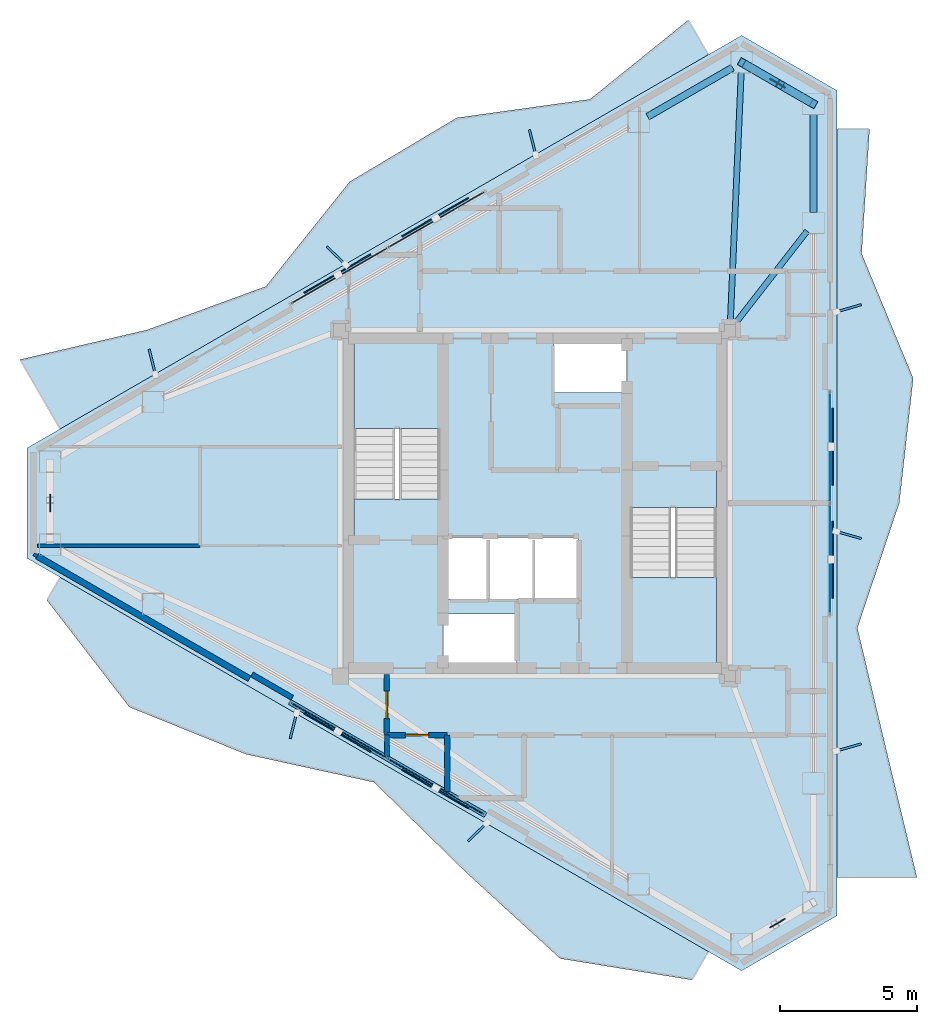
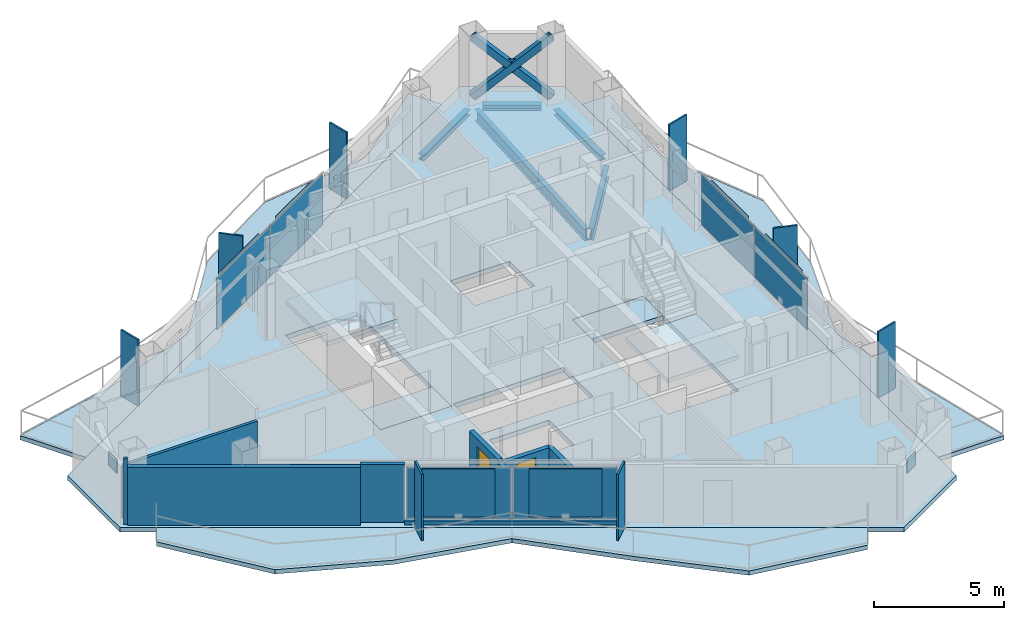
# One storey, part 13 of 18: 23 plates, 9 walls, 8 slabs, 5 beams, 3 members, 2 doors, 2 openings, 5 elements without a shape of their own.
"""IFC4 building model written with IfcOpenShell, lengths in metres."""

from ifc_helpers import new_model, si_unit, direction, frame, frame_2d, origin, origin_2d, place, context, subcontext, project, spatial, polyline, rectangle, hollow_rectangle, i_section, outline, extrude, material, layer, layer_set, material_profile, profile_set, type_object, element, fill, aggregate, save


model = new_model("IFC4")

# Units and contexts
model_context = context("Model", 3, precision=1e-05, world=origin(), true_north=direction((0.0, 1.0)))
body_context = subcontext(model_context, "Body", "Model", "MODEL_VIEW")
ifc_project = project(units=[si_unit("LENGTHUNIT", "METRE"), si_unit("AREAUNIT", "SQUARE_METRE"), si_unit("VOLUMEUNIT", "CUBIC_METRE"), si_unit("PLANEANGLEUNIT", "RADIAN"), si_unit("MASSUNIT", "GRAM", prefix="KILO")], contexts=[model_context])

# Site, building, storey
site_placement = place(None, origin())
site = spatial("IfcSite", under=ifc_project, at=site_placement, CompositionType="ELEMENT")
building_placement = place(site_placement, origin())
building = spatial("IfcBuilding", under=site, at=building_placement, Name="Mersakhor Tower and Convention Hall", CompositionType="ELEMENT")
storey_placement = place(building_placement, frame((0.0, 0.0, 236.39990234375)))
storey = spatial("IfcBuildingStorey", under=building, at=storey_placement, Name="L66", CompositionType="ELEMENT", Elevation=236.39990234375)

# Beams
ifc_material_1 = material(Name="Steel S355", Category="steel")
ifc_material_profile_1 = material_profile(ifc_material_1, i_section(OverallWidth=0.2099609375, OverallDepth=0.53662109375, WebThickness=0.0107421875, FlangeThickness=0.017333984375, at=origin_2d()), Name="UB 533x210x101")
ifc_profile_set_1 = profile_set([ifc_material_profile_1], Name="Steel S355")
beam_type_1 = type_object("IfcBeamType", Name="BM-FB-533", PredefinedType="BEAM", material=ifc_profile_set_1)
beam_1_placement = place(storey_placement, frame((36.1123046875, 33.32958984375, -0.48828125), z_axis=(0.043540774519, 0.999051650794, 0.0), x_axis=(-0.999051650794, 0.043540774519, 0.0)))
element("IfcBeam", 1, at=beam_1_placement, inside=storey, type_object=beam_type_1, Name="L66 Primary Floor Girder FG-2", PredefinedType="BEAM", context=body_context, shape_type="SweptSolid", body=[
    extrude(i_section(OverallWidth=0.2099609375, OverallDepth=0.53662109375, WebThickness=0.0107421875, FlangeThickness=0.017333984375, at=origin_2d()), origin(), (0.0, 0.0, 1.0), 9.10595703125),
])
beam_2_placement = place(storey_placement, frame((36.27197265625, 33.27099609375, -0.48828125), z_axis=(0.614066533088, 0.789254263809, 0.0), x_axis=(-0.789254263809, 0.614066533088, 0.0)))
element("IfcBeam", 2, at=beam_2_placement, inside=storey, type_object=beam_type_1, Name="L66 Primary Floor Girder FG-3", PredefinedType="BEAM", context=body_context, shape_type="SweptSolid", body=[
    extrude(i_section(OverallWidth=0.2099609375, OverallDepth=0.53662109375, WebThickness=0.0107421875, FlangeThickness=0.017333984375, at=origin_2d()), origin(), (0.0, 0.0, 1.0), 4.295166015625),
])
ifc_material_2 = material(Name="Steel S355", Category="steel")
ifc_material_profile_2 = material_profile(ifc_material_2, i_section(OverallWidth=0.25634765625, OverallDepth=0.26025390625, WebThickness=0.01025390625, FlangeThickness=0.017333984375, at=origin_2d()), Name="UC 254x254x89")
ifc_profile_set_2 = profile_set([ifc_material_profile_2], Name="Steel S355")
beam_type_2 = type_object("IfcBeamType", Name="BM-SPD-UC254", PredefinedType="SPANDREL", material=ifc_profile_set_2)
beam_3_placement = place(storey_placement, frame((33.1005859375, 40.829345703125, -0.35009765625), z_axis=(0.866002454009, 0.500039748071, 0.0), x_axis=(-0.500039748071, 0.866002454009, 0.0)))
element("IfcBeam", 3, at=beam_3_placement, inside=storey, type_object=beam_type_2, Name="L66 Perimeter Spandrel Beam SPB-03", PredefinedType="SPANDREL", context=body_context, shape_type="SweptSolid", body=[
    extrude(i_section(OverallWidth=0.25634765625, OverallDepth=0.26025390625, WebThickness=0.01025390625, FlangeThickness=0.017333984375, at=origin_2d()), origin(), (0.0, 0.0, 1.0), 3.574462890625),
])
beam_4_placement = place(storey_placement, frame((36.854248046875, 42.61669921875, -0.35009765625), z_axis=(0.866016678684, -0.500015112013, 0.0), x_axis=(0.500015112013, 0.866016678684, 0.0)))
element("IfcBeam", 4, at=beam_4_placement, inside=storey, type_object=beam_type_2, Name="L66 Perimeter Spandrel Beam SPB-04", PredefinedType="SPANDREL", context=body_context, shape_type="SweptSolid", body=[
    extrude(i_section(OverallWidth=0.25634765625, OverallDepth=0.26025390625, WebThickness=0.01025390625, FlangeThickness=0.017333984375, at=origin_2d()), origin(), (0.0, 0.0, 1.0), 2.2626953125),
])
beam_5_placement = place(storey_placement, frame((39.142822265625, 40.915283203125, -0.35009765625), z_axis=(0.0, -1.0, 0.0), x_axis=(1.0, 0.0, 0.0)))
element("IfcBeam", 5, at=beam_5_placement, inside=storey, type_object=beam_type_2, Name="L66 Perimeter Spandrel Beam SPB-05", PredefinedType="SPANDREL", context=body_context, shape_type="SweptSolid", body=[
    extrude(i_section(OverallWidth=0.25634765625, OverallDepth=0.26025390625, WebThickness=0.01025390625, FlangeThickness=0.017333984375, at=origin_2d()), origin(), (0.0, 0.0, 1.0), 3.574462890625),
])

# Members
ifc_material_3 = material(Name="Steel S355", Category="steel")
ifc_material_profile_3 = material_profile(ifc_material_3, hollow_rectangle(XDim=0.300048828125, YDim=0.300048828125, WallThickness=0.01611328125, at=origin_2d()), Name="SHS 300x300x16")
ifc_profile_set_3 = profile_set([ifc_material_profile_3], Name="Steel S355")
member_type = type_object("IfcMemberType", Name="MB-BRC-SHS300", PredefinedType="BRACE", material=ifc_profile_set_3)
member_placement = place(storey_placement, frame((36.525146484375, 42.806640625, 0.150146484375), z_axis=(0.637423019708, -0.367995569109, 0.676957277132), x_axis=(0.499978822259, 0.866037630414, 0.0)))
element("IfcMember", 6, at=member_placement, inside=storey, type_object=member_type, Name="L66 Chamfer Braced Frame Diagonal CB-1A", PredefinedType="BRACE", context=body_context, shape_type="SweptSolid", body=[
    extrude(hollow_rectangle(XDim=0.300048828125, YDim=0.300048828125, WallThickness=0.01611328125, at=origin_2d()), origin(), (0.0, 0.0, 1.0), 4.106689453125),
])
for number, where, z_axis, x_axis, name in (
    (7, (39.142822265625, 41.29541015625, 0.150146484375), (-0.6374128848, 0.367990943802, 0.676969334291), (-0.499980071345, -0.866036909293, 0.0), "L66 Chamfer Braced Frame Diagonal CB-1B Lower Half"),
    (8, (37.73291015625, 42.109375, 1.6474609375), (-0.6374128848, 0.367990943802, 0.676969334291), (-0.499980071345, -0.866036909293, 0.0), "L66 Chamfer Braced Frame Diagonal CB-1B Upper Half"),
):
    element("IfcMember", number, at=place(storey_placement, frame(where, z_axis=z_axis, x_axis=x_axis)), inside=storey, type_object=member_type, Name=name, PredefinedType="BRACE", context=body_context, shape_type="SweptSolid", body=[
        extrude(hollow_rectangle(XDim=0.300048828125, YDim=0.300048828125, WallThickness=0.01611328125, at=origin_2d()), origin(), (0.0, 0.0, 1.0), 1.894775390625),
    ])

# Curtain wall, plates
ifc_material_4 = material(Name="Dark solar low-E aluminium curtain wall", Category="aluminium")
ifc_layer_1 = layer(ifc_material_4, 0.179931640625)
ifc_layer_set_1 = layer_set([ifc_layer_1], Name="Dark solar low-E aluminium curtain wall")
curtain_wall_type = type_object("IfcCurtainWallType", Name="CW-SYS-03", PredefinedType="USERDEFINED", material=ifc_layer_set_1)
curtain_wall_1_placement = place(storey_placement, origin())
curtain_wall_1 = element("IfcCurtainWall", 9, at=curtain_wall_1_placement, inside=storey, type_object=curtain_wall_type, Name="L66 Dark-Glass Curtain Wall F1-B2", ObjectType="CURTAIN WALL", PredefinedType="USERDEFINED")
ifc_material_5 = material(Name="Dark solar double glazing", Category="glass")
ifc_layer_2 = layer(ifc_material_5, 0.031982421875)
ifc_layer_set_2 = layer_set([ifc_layer_2], Name="Dark solar double glazing")
plate_type_1 = type_object("IfcPlateType", Name="CWP-GLZ-32", PredefinedType="CURTAIN_PANEL", material=ifc_layer_set_2)
plate_1_placement = place(storey_placement, frame((21.863525390625, 35.034423828125, 0.26025390625), z_axis=(0.0, 0.0, 1.0), x_axis=(0.86602285698, 0.500004411169, 0.0)))
plate_1 = element("IfcPlate", 10, at=plate_1_placement, type_object=plate_type_1, Name="CW-03 panel 1.1", PredefinedType="CURTAIN_PANEL", context=body_context, shape_type="SweptSolid", body=[
    extrude(rectangle(XDim=4.00146484375, YDim=0.031982421875, at=origin_2d()), origin(), (0.0, 0.0, 1.0), 2.3798828125),
])
plate_2_placement = place(storey_placement, frame((25.393798828125, 37.07275390625, 0.26025390625), z_axis=(0.0, 0.0, 1.0), x_axis=(0.86602285698, 0.500004411169, 0.0)))
plate_2 = element("IfcPlate", 11, at=plate_2_placement, type_object=plate_type_1, Name="CW-03 panel 2.1", PredefinedType="CURTAIN_PANEL", context=body_context, shape_type="SweptSolid", body=[
    extrude(rectangle(XDim=4.00146484375, YDim=0.031982421875, at=origin_2d()), origin(), (0.0, 0.0, 1.0), 2.3798828125),
])
aggregate(curtain_wall_1, [plate_1, plate_2])

curtain_wall_2_placement = place(storey_placement, origin())
curtain_wall_2 = element("IfcCurtainWall", 12, at=curtain_wall_2_placement, inside=storey, type_object=curtain_wall_type, Name="L66 Dark-Glass Curtain Wall F2-B2", ObjectType="CURTAIN WALL", PredefinedType="USERDEFINED")
plate_3_placement = place(storey_placement, frame((39.742919921875, 28.7880859375, 0.26025390625), z_axis=(0.0, 0.0, 1.0), x_axis=(0.0, -1.0, 0.0)))
plate_3 = element("IfcPlate", 13, at=plate_3_placement, type_object=plate_type_1, Name="CW-03 panel 1.1", PredefinedType="CURTAIN_PANEL", context=body_context, shape_type="SweptSolid", body=[
    extrude(rectangle(XDim=4.00146484375, YDim=0.031982421875, at=origin_2d()), origin(), (0.0, 0.0, 1.0), 2.3798828125),
])
plate_4_placement = place(storey_placement, frame((39.742919921875, 24.7119140625, 0.26025390625), z_axis=(0.0, 0.0, 1.0), x_axis=(0.0, -1.0, 0.0)))
plate_4 = element("IfcPlate", 14, at=plate_4_placement, type_object=plate_type_1, Name="CW-03 panel 2.1", PredefinedType="CURTAIN_PANEL", context=body_context, shape_type="SweptSolid", body=[
    extrude(rectangle(XDim=4.00146484375, YDim=0.031982421875, at=origin_2d()), origin(), (0.0, 0.0, 1.0), 2.3798828125),
])
aggregate(curtain_wall_2, [plate_3, plate_4])

curtain_wall_3_placement = place(storey_placement, origin())
curtain_wall_3 = element("IfcCurtainWall", 15, at=curtain_wall_3_placement, inside=storey, type_object=curtain_wall_type, Name="L66 Dark-Glass Curtain Wall F3-B2", ObjectType="CURTAIN WALL", PredefinedType="USERDEFINED")
plate_5_placement = place(storey_placement, frame((25.393798828125, 16.42724609375, 0.26025390625), z_axis=(0.0, 0.0, 1.0), x_axis=(-0.86602285698, 0.500004411169, 0.0)))
plate_5 = element("IfcPlate", 16, at=plate_5_placement, type_object=plate_type_1, Name="CW-03 panel 1.1", PredefinedType="CURTAIN_PANEL", context=body_context, shape_type="SweptSolid", body=[
    extrude(rectangle(XDim=4.00146484375, YDim=0.031982421875, at=origin_2d()), origin(), (0.0, 0.0, 1.0), 2.3798828125),
])
plate_6_placement = place(storey_placement, frame((21.863525390625, 18.465576171875, 0.26025390625), z_axis=(0.0, 0.0, 1.0), x_axis=(-0.86602285698, 0.500004411169, 0.0)))
plate_6 = element("IfcPlate", 17, at=plate_6_placement, type_object=plate_type_1, Name="CW-03 panel 2.1", PredefinedType="CURTAIN_PANEL", context=body_context, shape_type="SweptSolid", body=[
    extrude(rectangle(XDim=4.00146484375, YDim=0.031982421875, at=origin_2d()), origin(), (0.0, 0.0, 1.0), 2.3798828125),
])
aggregate(curtain_wall_3, [plate_5, plate_6])

# Plates
ifc_material_6 = material(Name="Ceramic-clad aluminium Zone 5 ultramarine", Category="aluminium")
ifc_material_7 = material(Name="Ceramic-clad aluminium Zone 1 cobalt-slate", Category="masonry")
ifc_layer_3 = layer(ifc_material_7, 0.080078125)
ifc_layer_set_3 = layer_set([ifc_layer_3], Name="Ceramic-clad aluminium Zone 1 cobalt-slate")
plate_type_2 = type_object("IfcPlateType", Name="PL-FIN-80", PredefinedType="USERDEFINED", material=ifc_layer_set_3)
for number, where, z_axis, x_axis, name in (
    (18, (15.0537109375, 31.8955078125, 0.0), (0.0, 0.0, 1.0), (-0.2419218956, 0.970295726276, 0.0), "L66 Zone 5 Coloured Brise-Soleil Fin F1-1"),
    (19, (21.7548828125, 35.7646484375, 0.0), (0.0, 0.0, 1.0), (-0.719339800339, 0.694658370459, 0.0), "L66 Zone 5 Coloured Brise-Soleil Fin F1-2"),
    (20, (28.909912109375, 39.8955078125, 0.0), (0.0, 0.0, 1.0), (-0.2419218956, 0.970295726276, 0.0), "L66 Zone 5 Coloured Brise-Soleil Fin F1-3"),
    (21, (40.429443359375, 33.850341796875, 0.0), (0.0, 0.0, 1.0), (0.961261695938, 0.275637355817, 0.0), "L66 Zone 5 Coloured Brise-Soleil Fin F2-1"),
    (22, (40.429443359375, 25.58837890625, 0.0), (0.0, 0.0, 1.0), (0.961261695938, -0.275637355817, 0.0), "L66 Zone 5 Coloured Brise-Soleil Fin F2-2"),
    (23, (40.429443359375, 17.850341796875, 0.0), (0.0, 0.0, 1.0), (0.961261695938, 0.275637355817, 0.0), "L66 Zone 5 Coloured Brise-Soleil Fin F2-3"),
    (24, (26.898193359375, 14.765869140625, 0.0), (0.0, 0.0, 1.0), (-0.719339800339, -0.694658370459, 0.0), "L66 Zone 5 Coloured Brise-Soleil Fin F3-1"),
    (25, (20.19677734375, 18.635009765625, 0.0), (0.0, 0.0, 1.0), (-0.2419218956, -0.970295726276, 0.0), "L66 Zone 5 Coloured Brise-Soleil Fin F3-2"),
):
    element("IfcPlate", number, at=place(storey_placement, frame(where, z_axis=z_axis, x_axis=x_axis)), inside=storey, type_object=plate_type_2, material=ifc_material_6, Name=name, ObjectType="FIN", PredefinedType="USERDEFINED", context=body_context, shape_type="SweptSolid", body=[
        extrude(rectangle(XDim=0.949951171875, YDim=0.080078125, at=origin_2d()), origin(), (0.0, 0.0, 1.0), 3.10009765625),
    ])
ifc_material_8 = material(Name="Steel S460", Category="steel")
ifc_layer_4 = layer(ifc_material_8, 0.0400390625)
ifc_layer_set_4 = layer_set([ifc_layer_4], Name="Steel S460")
plate_type_3 = type_object("IfcPlateType", Name="PL-GUSSET-40", PredefinedType="SHEET", material=ifc_layer_set_4)
for number, where, z_axis, x_axis, name in (
    (26, (37.833984375, 42.051025390625, 1.22021484375), (0.0, 0.0, 1.0), (-0.866025403784, 0.5, 0.0), "L66 X-Brace Crossing Gusset Node Plate"),
    (27, (37.833984375, 11.448974609375, 1.22021484375), (0.0, 0.0, 1.0), (0.866025403784, 0.5, 0.0), "L66 X-Brace Crossing Gusset Node Plate"),
    (28, (11.33203125, 26.75, 1.22021484375), (0.0, 0.0, 1.0), (0.0, -1.0, 0.0), "L66 X-Brace Crossing Gusset Node Plate"),
):
    element("IfcPlate", number, at=place(storey_placement, frame(where, z_axis=z_axis, x_axis=x_axis)), inside=storey, type_object=plate_type_3, Name=name, PredefinedType="SHEET", context=body_context, shape_type="SweptSolid", body=[
        extrude(rectangle(XDim=0.639892578125, YDim=0.0400390625, at=origin_2d()), origin(), (0.0, 0.0, 1.0), 0.639892578125),
    ])
ifc_material_9 = material(Name="Perforated ceramic cobogo solar screen", Category="aluminium")
ifc_layer_5 = layer(ifc_material_9, 0.048095703125)
ifc_layer_set_5 = layer_set([ifc_layer_5], Name="Perforated ceramic cobogo solar screen")
plate_type_4 = type_object("IfcPlateType", Name="PL-SCR-48", PredefinedType="USERDEFINED", material=ifc_layer_set_5)
for number, where, z_axis, x_axis, name in (
    (29, (21.80029296875, 35.1064453125, 0.400146484375), (0.0, 0.0, 1.0), (0.866025403784, 0.5, 0.0), "L66 Perforated Ceramic Solar Screen F1-1"),
    (30, (25.363037109375, 37.163330078125, 0.400146484375), (0.0, 0.0, 1.0), (0.866025403784, 0.5, 0.0), "L66 Perforated Ceramic Solar Screen F1-2"),
    (31, (39.8369140625, 28.806884765625, 0.400146484375), (0.0, 0.0, 1.0), (0.0, -1.0, 0.0), "L66 Perforated Ceramic Solar Screen F2-1"),
    (32, (39.8369140625, 24.693115234375, 0.400146484375), (0.0, 0.0, 1.0), (0.0, -1.0, 0.0), "L66 Perforated Ceramic Solar Screen F2-2"),
    (33, (25.36279296875, 16.336669921875, 0.400146484375), (0.0, 0.0, 1.0), (-0.866025403784, 0.5, 0.0), "L66 Perforated Ceramic Solar Screen F3-1"),
    (34, (21.80029296875, 18.3935546875, 0.400146484375), (0.0, 0.0, 1.0), (-0.866025403784, 0.5, 0.0), "L66 Perforated Ceramic Solar Screen F3-2"),
):
    element("IfcPlate", number, at=place(storey_placement, frame(where, z_axis=z_axis, x_axis=x_axis)), inside=storey, type_object=plate_type_4, Name=name, ObjectType="SCREEN", PredefinedType="USERDEFINED", context=body_context, shape_type="SweptSolid", body=[
        extrude(rectangle(XDim=2.800048828125, YDim=0.048095703125, at=origin_2d()), origin(), (0.0, 0.0, 1.0), 2.25),
    ])

# Slabs
ifc_material_10 = material(Name="Concrete C45/55", Category="concrete")
ifc_layer_6 = layer(ifc_material_10, 0.199951171875)
ifc_layer_set_6 = layer_set([ifc_layer_6], Name="Concrete C45/55")
slab_type_1 = type_object("IfcSlabType", Name="SL-BAL-200", PredefinedType="FLOOR", material=ifc_layer_set_6)
slab_1_placement = place(storey_placement, frame((0.0, 0.0, -0.199951171875)))
element("IfcSlab", 35, at=slab_1_placement, inside=storey, type_object=slab_type_1, Name="L66 Sinusoidal Balcony Slab Face 1", PredefinedType="FLOOR", context=body_context, shape_type="SweptSolid", body=[
    extrude(outline(polyline([(11.6943359375, 29.451904296875), (35.312744140625, 43.088134765625), (34.58349609375, 44.3515625), (31.00146484375, 41.46484375), (26.143798828125, 40.787841796875), (22.2412109375, 38.456787109375), (19.192138671875, 34.64697265625), (14.859375, 33.060791015625), (10.234375, 31.980712890625), (11.6943359375, 29.451904296875)])), origin(), (0.0, 0.0, 1.0), 0.199951171875),
])
slab_2_placement = place(storey_placement, frame((0.0, 0.0, -0.199951171875)))
element("IfcSlab", 36, at=slab_2_placement, inside=storey, type_object=slab_type_1, Name="L66 Sinusoidal Balcony Slab Face 2", PredefinedType="FLOOR", context=body_context, shape_type="SweptSolid", body=[
    extrude(outline(polyline([(39.992919921875, 40.385986328125), (39.992919921875, 13.114013671875), (42.912841796875, 13.114013671875), (41.8212890625, 17.6591796875), (40.742919921875, 22.20458984375), (42.269287109375, 26.75), (42.7783203125, 31.29541015625), (40.8974609375, 35.8408203125), (41.187744140625, 40.385986328125), (39.992919921875, 40.385986328125)])), origin(), (0.0, 0.0, 1.0), 0.199951171875),
])
slab_3_placement = place(storey_placement, frame((0.0, 0.0, -0.199951171875)))
element("IfcSlab", 37, at=slab_3_placement, inside=storey, type_object=slab_type_1, Name="L66 Sinusoidal Balcony Slab Face 3", PredefinedType="FLOOR", context=body_context, shape_type="SweptSolid", body=[
    extrude(outline(polyline([(35.312744140625, 10.411865234375), (11.6943359375, 24.048095703125), (11.2119140625, 23.212158203125), (14.214111328125, 19.321533203125), (18.469482421875, 17.601318359375), (23.128662109375, 16.580322265625), (26.482421875, 13.298583984375), (29.91650390625, 10.15576171875), (34.71533203125, 9.376953125), (35.312744140625, 10.411865234375)])), origin(), (0.0, 0.0, 1.0), 0.199951171875),
])
ifc_material_11 = material(Name="Concrete C40/50", Category="concrete")
ifc_layer_7 = layer(ifc_material_11, 0.219970703125)
ifc_layer_set_7 = layer_set([ifc_layer_7], Name="Concrete C40/50")
slab_type_2 = type_object("IfcSlabType", Name="SL-FLR-220", PredefinedType="FLOOR", material=ifc_layer_set_7)
slab_4_placement = place(storey_placement, frame((0.0, 0.0, -0.219970703125)))
element("IfcSlab", 38, at=slab_4_placement, inside=storey, type_object=slab_type_2, Name="L66 ST-1 Structural Stair Floor Landing", PredefinedType="LANDING", context=body_context, shape_type="SweptSolid", body=[
    extrude(outline(polyline([(25.550048828125, 25.39990234375), (25.550048828125, 26.89990234375), (22.39990234375, 26.89990234375), (22.39990234375, 25.39990234375), (25.550048828125, 25.39990234375)])), origin(), (0.0, 0.0, 1.0), 0.219970703125),
])
slab_5_placement = place(storey_placement, frame((0.0, 0.0, -0.219970703125)))
element("IfcSlab", 39, at=slab_5_placement, inside=storey, type_object=slab_type_2, Name="L66 ST-2 Structural Stair Floor Landing", PredefinedType="LANDING", context=body_context, shape_type="SweptSolid", body=[
    extrude(outline(polyline([(32.449951171875, 28.10009765625), (32.449951171875, 26.60009765625), (35.60009765625, 26.60009765625), (35.60009765625, 28.10009765625), (32.449951171875, 28.10009765625)])), origin(), (0.0, 0.0, 1.0), 0.219970703125),
])
slab_6_placement = place(storey_placement, frame((0.0, 0.0, -0.219970703125)))
element("IfcSlab", 40, at=slab_6_placement, inside=storey, type_object=slab_type_2, Name="Tower L66 Structural Floor Slab", PredefinedType="FLOOR", context=body_context, shape_type="SweptSolid", body=[
    extrude(outline(polyline([(10.48193359375, 28.751953125), (36.525146484375, 43.7880859375), (39.992919921875, 41.7861328125), (39.992919921875, 11.7138671875), (36.525146484375, 9.7119140625), (10.48193359375, 24.748046875), (10.48193359375, 28.751953125)]), holes=[polyline([(25.550048828125, 25.39990234375), (25.550048828125, 32.699951171875), (22.39990234375, 32.699951171875), (22.39990234375, 25.39990234375), (25.550048828125, 25.39990234375)]), polyline([(32.449951171875, 28.10009765625), (32.449951171875, 20.800048828125), (35.60009765625, 20.800048828125), (35.60009765625, 28.10009765625), (32.449951171875, 28.10009765625)]), polyline([(25.679931640625, 20.820068359375), (25.679931640625, 22.719970703125), (28.320068359375, 22.719970703125), (28.320068359375, 20.820068359375), (25.679931640625, 20.820068359375)]), polyline([(29.679931640625, 30.780029296875), (29.679931640625, 32.679931640625), (32.320068359375, 32.679931640625), (32.320068359375, 30.780029296875), (29.679931640625, 30.780029296875)]), polyline([(25.679931640625, 23.25), (25.679931640625, 25.5), (30.570068359375, 25.5), (30.570068359375, 23.25), (25.679931640625, 23.25)])]), origin(), (0.0, 0.0, 1.0), 0.219970703125),
])

# Stair, slab
ifc_material_12 = material(Name="Concrete C45/55", Category="concrete")
stair_type = type_object("IfcStairType", Name="ST-TWR-20R", PredefinedType="HALF_TURN_STAIR", material=ifc_material_12)
stair_1_placement = place(storey_placement, origin())
stair_1 = element("IfcStair", 41, at=stair_1_placement, inside=storey, type_object=stair_type, Name="L66 Tower Protected Exit Stair ST-1", PredefinedType="HALF_TURN_STAIR")
ifc_material_13 = material(Name="Concrete C45/55", Category="concrete")
ifc_layer_8 = layer(ifc_material_13, 0.199951171875)
ifc_layer_set_8 = layer_set([ifc_layer_8], Name="Concrete C45/55")
slab_type_3 = type_object("IfcSlabType", Name="SL-LAND-200", PredefinedType="LANDING", material=ifc_layer_set_8)
slab_7_placement = place(storey_placement, frame((0.0, 0.0, 1.4501953125)))
slab_7 = element("IfcSlab", 42, at=slab_7_placement, type_object=slab_type_3, Name="ST-1 landing 1", PredefinedType="LANDING", context=body_context, shape_type="SweptSolid", body=[
    extrude(outline(polyline([(25.550048828125, 29.465087890625), (25.550048828125, 32.699951171875), (22.39990234375, 32.699951171875), (22.39990234375, 29.465087890625), (25.550048828125, 29.465087890625)])), origin(), (0.0, 0.0, 1.0), 0.199951171875),
])
aggregate(stair_1, [slab_7])

stair_2_placement = place(storey_placement, origin())
stair_2 = element("IfcStair", 43, at=stair_2_placement, inside=storey, type_object=stair_type, Name="L66 Tower Protected Exit Stair ST-2", PredefinedType="HALF_TURN_STAIR")
slab_8_placement = place(storey_placement, frame((0.0, 0.0, 1.4501953125)))
slab_8 = element("IfcSlab", 44, at=slab_8_placement, type_object=slab_type_3, Name="ST-2 landing 1", PredefinedType="LANDING", context=body_context, shape_type="SweptSolid", body=[
    extrude(outline(polyline([(32.449951171875, 24.034912109375), (32.449951171875, 20.800048828125), (35.60009765625, 20.800048828125), (35.60009765625, 24.034912109375), (32.449951171875, 24.034912109375)])), origin(), (0.0, 0.0, 1.0), 0.199951171875),
])
aggregate(stair_2, [slab_8])

# Walls
ifc_material_14 = material(Name="Precast concrete C40/50", Category="concrete")
ifc_layer_9 = layer(ifc_material_14, 0.22509765625)
ifc_layer_set_9 = layer_set([ifc_layer_9], Name="Precast concrete C40/50")
wall_type_1 = type_object("IfcWallType", Name="WL-EXT-225", PredefinedType="SOLIDWALL", material=ifc_layer_set_9)
wall_1_placement = place(storey_placement, frame((18.593505859375, 20.353515625, 0.0), z_axis=(0.0, 0.0, 1.0), x_axis=(-0.866026655105, 0.499997832642, 0.0)))
element("IfcWall", 45, at=wall_1_placement, inside=storey, type_object=wall_type_1, Name="L66 Exterior Facade Wall F3-B3", PredefinedType="SOLIDWALL", context=body_context, shape_type="SweptSolid", body=[
    extrude(rectangle(XDim=8.927734375, YDim=0.22509765625, at=frame_2d((4.4638671875, 0.0))), origin(), (0.0, 0.0, 1.0), 2.7001953125),
])
ifc_material_15 = material(Name="Precast concrete C40/50", Category="concrete")
ifc_layer_10 = layer(ifc_material_15, 0.199951171875)
ifc_layer_set_10 = layer_set([ifc_layer_10], Name="Precast concrete C40/50")
wall_type_2 = type_object("IfcWallType", Name="WL-PAR-200", PredefinedType="PARAPET", material=ifc_layer_set_10)
wall_2_placement = place(storey_placement, frame((27.19140625, 15.389404296875, 0.0), z_axis=(0.0, 0.0, 1.0), x_axis=(-0.866019557082, 0.500010126649, 0.0)))
element("IfcWall", 46, at=wall_2_placement, inside=storey, type_object=wall_type_2, Name="L66 Curtain Wall Upstand Sill F3-B2", PredefinedType="PARAPET", context=body_context, shape_type="SweptSolid", body=[
    extrude(rectangle(XDim=8.227783203125, YDim=0.199951171875, at=frame_2d((4.11376953125, 0.0))), origin(), (0.0, 0.0, 1.0), 0.2001953125),
])
wall_3_placement = place(storey_placement, frame((20.156005859375, 19.6591796875, 0.0), z_axis=(0.0, 0.0, 1.0), x_axis=(-0.866025371046, 0.500000056704, 0.0)))
element("IfcWall", 47, at=wall_3_placement, inside=storey, type_object=wall_type_2, Name="L66 Column Pier Cladding Wall F3-C2", PredefinedType="PARAPET", context=body_context, shape_type="SweptSolid", body=[
    extrude(rectangle(XDim=1.7001953125, YDim=0.199951171875, at=frame_2d((0.85009765625, 0.0))), origin(), (0.0, 0.0, 1.0), 2.7001953125),
])
ifc_material_16 = material(Name="Moisture-resistant acoustic drywall studwork", Category="other")
ifc_layer_11 = layer(ifc_material_16, 0.175048828125)
ifc_layer_set_11 = layer_set([ifc_layer_11], Name="Moisture-resistant acoustic drywall studwork")
wall_type_3 = type_object("IfcWallType", Name="WL-PLM-175", PredefinedType="PLUMBINGWALL", material=ifc_layer_set_11)
wall_4_placement = place(storey_placement, frame((23.60009765625, 17.50927734375, 0.0), z_axis=(0.0, 0.0, 1.0), x_axis=(0.0, 1.0, 0.0)))
element("IfcWall", 48, at=wall_4_placement, inside=storey, type_object=wall_type_3, Name="L66 Interior Partition Wall P-043", PredefinedType="PLUMBINGWALL", context=body_context, shape_type="SweptSolid", body=[
    extrude(rectangle(XDim=0.790771484375, YDim=0.175048828125, at=frame_2d((0.3955078125, 0.0))), origin(), (0.0, 0.0, 1.0), 2.364990234375),
])
ifc_material_17 = material(Name="Gypsum board acoustic partition", Category="other")
ifc_layer_12 = layer(ifc_material_17, 0.125)
ifc_layer_set_12 = layer_set([ifc_layer_12], Name="Gypsum board acoustic partition")
wall_type_4 = type_object("IfcWallType", Name="WL-PRT-125", PredefinedType="PARTITIONING", material=ifc_layer_set_12)
wall_5_placement = place(storey_placement, frame((10.868408203125, 25.199951171875, 0.0), z_axis=(0.0, 0.0, 1.0), x_axis=(1.0, 0.0, 0.0)))
element("IfcWall", 49, at=wall_5_placement, inside=storey, type_object=wall_type_4, Name="L66 Interior Partition Wall P-051", PredefinedType="PARTITIONING", context=body_context, shape_type="SweptSolid", body=[
    extrude(rectangle(XDim=5.931640625, YDim=0.125, at=frame_2d((2.9658203125, 0.0))), origin(), (0.0, 0.0, 1.0), 2.5283203125),
])
wall_6_placement = place(storey_placement, frame((10.86181640625, 24.817138671875, 0.0), z_axis=(0.0, 0.0, 1.0), x_axis=(-0.866131372301, 0.499816412211, 0.0)))
element("IfcWall", 50, at=wall_6_placement, inside=storey, type_object=wall_type_4, Name="L66 Interior Partition Wall P-053", PredefinedType="PARTITIONING", context=body_context, shape_type="SweptSolid", body=[
    extrude(rectangle(XDim=0.14990234375, YDim=0.125, at=frame_2d((0.074951171875, 0.0))), origin(), (0.0, 0.0, 1.0), 3.080078125),
])

# Wall, opening, door
ifc_material_18 = material(Name="Acoustic concrete blockwork and gypsum board", Category="masonry")
ifc_layer_13 = layer(ifc_material_18, 0.199951171875)
ifc_layer_set_13 = layer_set([ifc_layer_13], Name="Acoustic concrete blockwork and gypsum board")
wall_type_5 = type_object("IfcWallType", Name="WL-PRT-200", PredefinedType="PARTITIONING", material=ifc_layer_set_13)
wall_7_placement = place(storey_placement, frame((25.800048828125, 18.300048828125, 0.0), z_axis=(0.0, 0.0, 1.0), x_axis=(-1.0, 0.0, 0.0)))
wall_7 = element("IfcWall", 51, at=wall_7_placement, inside=storey, type_object=wall_type_5, Name="L66 Interior Partition Wall P-035", PredefinedType="PARTITIONING", context=body_context, shape_type="SweptSolid", body=[
    extrude(rectangle(XDim=2.199951171875, YDim=0.199951171875, at=frame_2d((1.10009765625, 0.0))), origin(), (0.0, 0.0, 1.0), 2.364990234375),
])
opening_1_placement = place(wall_7_placement, frame((0.675048828125, 0.0, 0.0)))
opening_1 = element("IfcOpeningElement", 52, at=opening_1_placement, cuts=wall_7, Name="Opening SVD-01", PredefinedType="OPENING", context=body_context, shape_type="SweptSolid", body=[
    extrude(rectangle(XDim=0.85009765625, YDim=2.10009765625, at=frame_2d((0.425048828125, 1.050048828125))), frame((0.0, 0.10986328125, 0.0), z_axis=(0.0, -1.0, 0.0), x_axis=(1.0, 0.0, 0.0)), (0.0, 0.0, 1.0), 0.219970703125),
])
ifc_material_19 = material(Name="Fire-rated hardwood leaf and painted steel frame", Category="steel")
door_type_1 = type_object("IfcDoorType", Name="DR-INT-SVC-085x210", OperationType="NOTDEFINED", PredefinedType="DOOR", material=ifc_material_19)
door_1_placement = place(opening_1_placement, origin())
door_1 = element("IfcDoor", 53, at=door_1_placement, inside=storey, type_object=door_type_1, Name="L66 Residential South Gallery Corridor to L66 Floor Shared Restroom WC 2-1 Door", OperationType="SINGLE_SWING_RIGHT", OverallHeight=2.10009765625, OverallWidth=0.85009765625, PredefinedType="DOOR", context=body_context, shape_type="SweptSolid", body=[
    extrude(rectangle(XDim=0.85009765625, YDim=2.10009765625, at=frame_2d((0.425048828125, 1.050048828125))), frame((0.0, 0.02490234375, 0.0), z_axis=(0.0, -1.0, 0.0), x_axis=(1.0, 0.0, 0.0)), (0.0, 0.0, 1.0), 0.050048828125),
])
fill(opening_1, door_1)

wall_8_placement = place(storey_placement, frame((23.60009765625, 18.300048828125, 0.0), z_axis=(0.0, 0.0, 1.0), x_axis=(0.0, 1.0, 0.0)))
wall_8 = element("IfcWall", 54, at=wall_8_placement, inside=storey, type_object=wall_type_5, Name="L66 Interior Partition Wall P-036", PredefinedType="PARTITIONING", context=body_context, shape_type="SweptSolid", body=[
    extrude(rectangle(XDim=2.199951171875, YDim=0.199951171875, at=frame_2d((1.10009765625, 0.0))), origin(), (0.0, 0.0, 1.0), 2.5283203125),
])
opening_2_placement = place(wall_8_placement, frame((0.60009765625, 0.0, 0.0)))
opening_2 = element("IfcOpeningElement", 55, at=opening_2_placement, cuts=wall_8, Name="Opening FD-01", PredefinedType="OPENING", context=body_context, shape_type="SweptSolid", body=[
    extrude(rectangle(XDim=1.0, YDim=2.14990234375, at=frame_2d((0.5, 1.074951171875))), frame((0.0, 0.10986328125, 0.0), z_axis=(0.0, -1.0, 0.0), x_axis=(1.0, 0.0, 0.0)), (0.0, 0.0, 1.0), 0.219970703125),
])
ifc_material_20 = material(Name="Fire-rated hardwood leaf and painted steel frame", Category="steel")
door_type_2 = type_object("IfcDoorType", Name="DR-INT-FLT-100x215", OperationType="NOTDEFINED", PredefinedType="DOOR", material=ifc_material_20)
door_2_placement = place(opening_2_placement, origin())
door_2 = element("IfcDoor", 56, at=door_2_placement, inside=storey, type_object=door_type_2, Name="L66 Residential South Gallery Corridor to L66 West Quiet Focus Room Door", OperationType="SINGLE_SWING_LEFT", OverallHeight=2.14990234375, OverallWidth=1.0, PredefinedType="DOOR", context=body_context, shape_type="SweptSolid", body=[
    extrude(rectangle(XDim=1.0, YDim=2.14990234375, at=frame_2d((0.5, 1.074951171875))), frame((0.0, 0.02490234375, 0.0), z_axis=(0.0, -1.0, 0.0), x_axis=(1.0, 0.0, 0.0)), (0.0, 0.0, 1.0), 0.050048828125),
])
fill(opening_2, door_2)

# Wall
wall_9_placement = place(storey_placement, frame((25.800048828125, 18.300048828125, 0.0), z_axis=(0.0, 0.0, 1.0), x_axis=(0.0, -1.0, 0.0)))
element("IfcWall", 57, at=wall_9_placement, inside=storey, type_object=wall_type_5, Name="L66 Interior Partition Wall P-042", PredefinedType="PARTITIONING", context=body_context, shape_type="SweptSolid", body=[
    extrude(rectangle(XDim=2.06103515625, YDim=0.199951171875, at=frame_2d((1.030517578125, 0.0))), origin(), (0.0, 0.0, 1.0), 2.364990234375),
])

save(model, "model.ifc")
